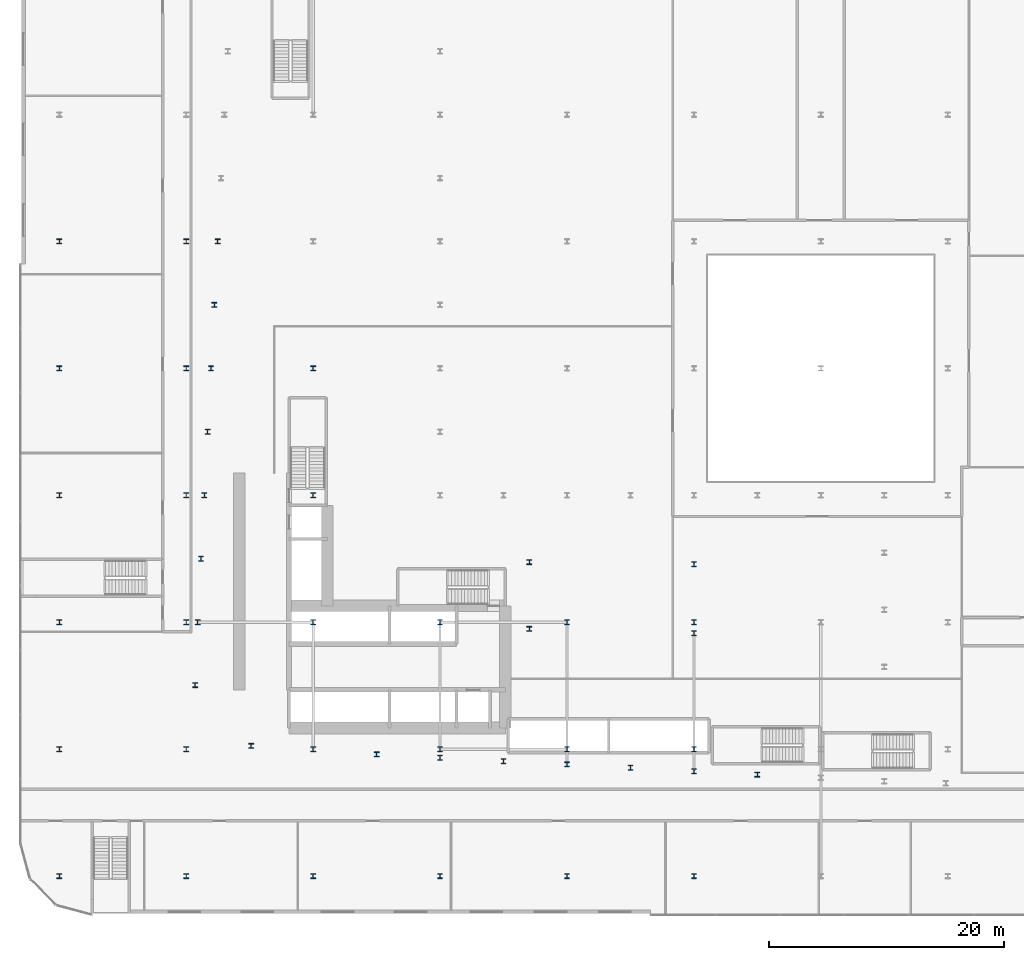
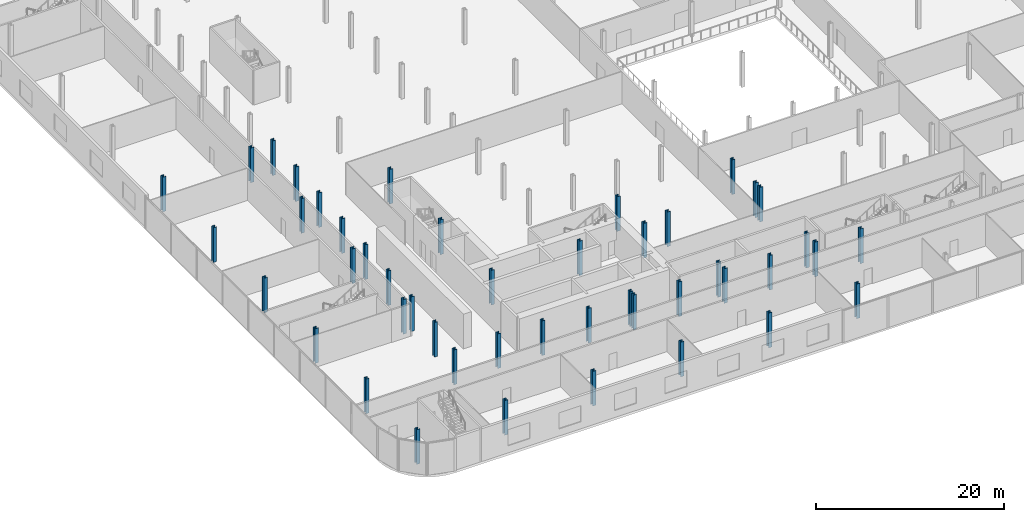
# One storey, part 1 of 47: 46 columns.
"""IFC4 building model written with IfcOpenShell, lengths in metres."""

from ifc_helpers import new_model, si_unit, direction, frame, origin, origin_2d, place, context, subcontext, project, spatial, i_section, extrude, material, material_profile, profile_set, type_object, element, save


model = new_model("IFC4")

# Units and contexts
model_context = context("Model", 3, precision=1e-05, world=origin(), true_north=direction((0.0, 1.0)))
body_context = subcontext(model_context, "Body", "Model", "MODEL_VIEW")
ifc_project = project(units=[si_unit("LENGTHUNIT", "METRE"), si_unit("AREAUNIT", "SQUARE_METRE"), si_unit("VOLUMEUNIT", "CUBIC_METRE"), si_unit("PLANEANGLEUNIT", "RADIAN"), si_unit("MASSUNIT", "GRAM", prefix="KILO")], contexts=[model_context])

# Site, building, storey
site_placement = place(None, origin())
site = spatial("IfcSite", under=ifc_project, at=site_placement, CompositionType="ELEMENT")
building_placement = place(site_placement, origin())
building = spatial("IfcBuilding", under=site, at=building_placement, Name="Kheshtan School and Residences Tower", CompositionType="ELEMENT")
storey_placement = place(building_placement, frame((0.0, 0.0, 12.5)))
storey = spatial("IfcBuildingStorey", under=building, at=storey_placement, Name="L02", CompositionType="ELEMENT", Elevation=12.5)

# Columns
ifc_material = material(Name="Steel ASTM A992 Grade 50", Category="steel")
ifc_material_profile = material_profile(ifc_material, i_section(OverallWidth=0.408935546875, OverallDepth=0.425048828125, WebThickness=0.03271484375, FlangeThickness=0.052490234375, FilletRadius=0.0126953125, at=origin_2d()), Name="W360x421")
ifc_profile_set = profile_set([ifc_material_profile], Name="Steel ASTM A992 Grade 50")
column_type = type_object("IfcColumnType", Name="Column PC2 W360x421 ASTM A992 Grade 50", PredefinedType="COLUMN", material=ifc_profile_set)
for number, where, z_axis, x_axis, name in (
    (1, (15.199951171875, 13.199951171875, 0.0), (0.0, 0.0, 1.0), (1.0, 0.0, 0.0), "Column P-001"),
    (2, (26.0, 13.199951171875, 0.0), (0.0, 0.0, 1.0), (1.0, 0.0, 0.0), "Column P-002"),
    (3, (36.800048828125, 13.199951171875, 0.0), (0.0, 0.0, 1.0), (1.0, 0.0, 0.0), "Column P-003"),
    (4, (47.60009765625, 13.199951171875, 0.0), (0.0, 0.0, 1.0), (1.0, 0.0, 0.0), "Column P-004"),
    (5, (58.39990234375, 13.199951171875, 0.0), (0.0, 0.0, 1.0), (1.0, 0.0, 0.0), "Column P-005"),
    (6, (69.199951171875, 13.199951171875, 0.0), (0.0, 0.0, 1.0), (1.0, 0.0, 0.0), "Column P-006"),
    (7, (15.199951171875, 24.0, 0.0), (0.0, 0.0, 1.0), (1.0, 0.0, 0.0), "Column P-013"),
    (8, (26.0, 24.0, 0.0), (0.0, 0.0, 1.0), (1.0, 0.0, 0.0), "Column P-014"),
    (9, (36.800048828125, 24.0, 0.0), (0.0, 0.0, 1.0), (1.0, 0.0, 0.0), "Column P-015"),
    (10, (47.60009765625, 24.0, 0.0), (0.0, 0.0, 1.0), (1.0, 0.0, 0.0), "Column P-016"),
    (11, (58.39990234375, 24.0, 0.0), (0.0, 0.0, 1.0), (1.0, 0.0, 0.0), "Column P-017"),
    (12, (69.199951171875, 24.0, 0.0), (0.0, 0.0, 1.0), (1.0, 0.0, 0.0), "Column P-018"),
    (13, (15.199951171875, 34.800048828125, 0.0), (0.0, 0.0, 1.0), (1.0, 0.0, 0.0), "Column P-025"),
    (14, (26.0, 34.800048828125, 0.0), (0.0, 0.0, 1.0), (1.0, 0.0, 0.0), "Column P-026"),
    (15, (36.800048828125, 34.800048828125, 0.0), (0.0, 0.0, 1.0), (1.0, 0.0, 0.0), "Column P-027"),
    (16, (47.60009765625, 34.800048828125, 0.0), (0.0, 0.0, 1.0), (1.0, 0.0, 0.0), "Column P-028"),
    (17, (58.39990234375, 34.800048828125, 0.0), (0.0, 0.0, 1.0), (1.0, 0.0, 0.0), "Column P-029"),
    (18, (69.199951171875, 34.800048828125, 0.0), (0.0, 0.0, 1.0), (1.0, 0.0, 0.0), "Column P-030"),
    (19, (15.199951171875, 45.60009765625, 0.0), (0.0, 0.0, 1.0), (1.0, 0.0, 0.0), "Column P-037"),
    (20, (26.0, 45.60009765625, 0.0), (0.0, 0.0, 1.0), (1.0, 0.0, 0.0), "Column P-038"),
    (21, (36.800048828125, 45.60009765625, 0.0), (0.0, 0.0, 1.0), (1.0, 0.0, 0.0), "Column P-039"),
    (22, (15.199951171875, 56.39990234375, 0.0), (0.0, 0.0, 1.0), (1.0, 0.0, 0.0), "Column P-049"),
    (23, (26.0, 56.39990234375, 0.0), (0.0, 0.0, 1.0), (1.0, 0.0, 0.0), "Column P-050"),
    (24, (36.800048828125, 56.39990234375, 0.0), (0.0, 0.0, 1.0), (1.0, 0.0, 0.0), "Column P-051"),
    (25, (15.199951171875, 67.199951171875, 0.0), (0.0, 0.0, 1.0), (1.0, 0.0, 0.0), "Column P-061"),
    (26, (26.0, 67.199951171875, 0.0), (0.0, 0.0, 1.0), (1.0, 0.0, 0.0), "Column P-062"),
    (27, (74.60009765625, 21.840087890625, 0.0), (0.0, 0.0, 1.0), (1.0, 0.0, 0.0), "Transfer column X04"),
    (28, (69.199951171875, 22.1298828125, 0.0), (0.0, 0.0, 1.0), (1.0, 0.0, 0.0), "Transfer column X05"),
    (29, (63.800048828125, 22.409912109375, 0.0), (0.0, 0.0, 1.0), (1.0, 0.0, 0.0), "Transfer column X06"),
    (30, (58.39990234375, 22.699951171875, 0.0), (0.0, 0.0, 1.0), (1.0, 0.0, 0.0), "Transfer column X07"),
    (31, (53.0, 22.97998046875, 0.0), (0.0, 0.0, 1.0), (1.0, 0.0, 0.0), "Transfer column X08"),
    (32, (47.60009765625, 23.260009765625, 0.0), (0.0, 0.0, 1.0), (1.0, 0.0, 0.0), "Transfer column X09"),
    (33, (42.199951171875, 23.550048828125, 0.0), (0.0, 0.0, 1.0), (1.0, 0.0, 0.0), "Transfer column X10"),
    (34, (31.52001953125, 24.27001953125, 0.0), (0.0, 0.0, 1.0), (1.0, 0.0, 0.0), "Transfer column X11"),
    (35, (26.760009765625, 29.4599609375, 0.0), (0.0, 0.0, 1.0), (1.0, 0.0, 0.0), "Transfer column X12"),
    (36, (26.969970703125, 34.800048828125, 0.0), (0.0, 0.0, 1.0), (1.0, 0.0, 0.0), "Transfer column X13"),
    (37, (27.25, 40.199951171875, 0.0), (0.0, 0.0, 1.0), (1.0, 0.0, 0.0), "Transfer column X14"),
    (38, (27.5400390625, 45.60009765625, 0.0), (0.0, 0.0, 1.0), (1.0, 0.0, 0.0), "Transfer column X15"),
    (39, (27.820068359375, 51.0, 0.0), (0.0, 0.0, 1.0), (1.0, 0.0, 0.0), "Transfer column X20"),
    (40, (28.110107421875, 56.39990234375, 0.0), (0.0, 0.0, 1.0), (1.0, 0.0, 0.0), "Transfer column X22"),
    (41, (28.389892578125, 61.800048828125, 0.0), (0.0, 0.0, 1.0), (1.0, 0.0, 0.0), "Transfer column X23"),
    (42, (28.669921875, 67.199951171875, 0.0), (0.0, 0.0, 1.0), (1.0, 0.0, 0.0), "Transfer column X25"),
    (43, (69.199951171875, 33.860107421875, 0.0), (0.0, 0.0, 1.0), (1.0, 0.0, 0.0), "Transfer column X36"),
    (44, (55.199951171875, 34.22998046875, 0.0), (0.0, 0.0, 1.0), (1.0, 0.0, 0.0), "Transfer column X37"),
    (45, (69.199951171875, 39.72998046875, 0.0), (0.0, 0.0, 1.0), (1.0, 0.0, 0.0), "Transfer column X39"),
    (46, (55.199951171875, 39.919921875, 0.0), (0.0, 0.0, 1.0), (1.0, 0.0, 0.0), "Transfer column X40"),
):
    element("IfcColumn", number, at=place(storey_placement, frame(where, z_axis=z_axis, x_axis=x_axis)), inside=storey, type_object=column_type, Name=name, PredefinedType="COLUMN", context=body_context, shape_type="SweptSolid", body=[
        extrude(i_section(OverallWidth=0.408935546875, OverallDepth=0.425048828125, WebThickness=0.03271484375, FlangeThickness=0.052490234375, FilletRadius=0.0126953125, at=origin_2d()), origin(), (0.0, 0.0, 1.0), 4.5),
    ])

save(model, "model.ifc")
